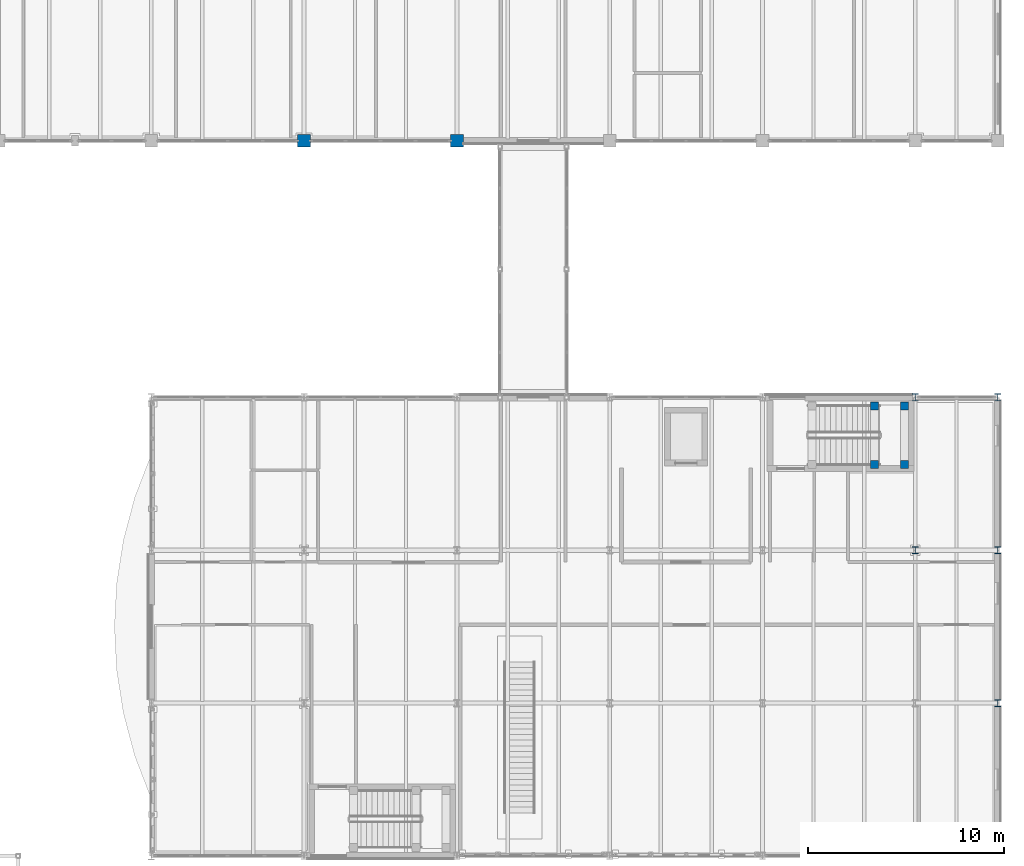
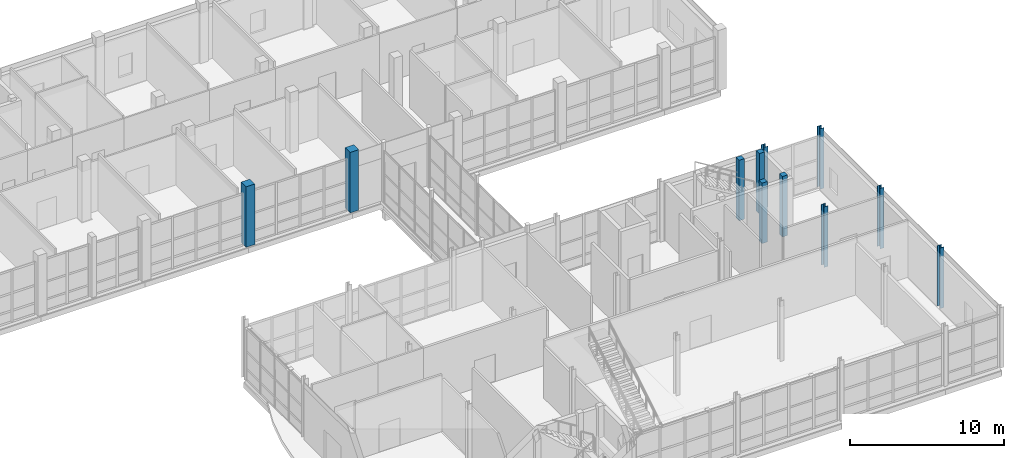
# One storey, part 22 of 131: 11 columns.
"""IFC4 building model written with IfcOpenShell, lengths in metres."""

from ifc_helpers import new_model, si_unit, direction, frame, origin, origin_2d, place, context, subcontext, project, spatial, rectangle, i_section, extrude, material, material_profile, profile_set, type_object, element, save


model = new_model("IFC4")

# Units and contexts
model_context = context("Model", 3, precision=1e-05, world=origin(), true_north=direction((0.0, 1.0)))
body_context = subcontext(model_context, "Body", "Model", "MODEL_VIEW")
ifc_project = project(units=[si_unit("LENGTHUNIT", "METRE"), si_unit("AREAUNIT", "SQUARE_METRE"), si_unit("VOLUMEUNIT", "CUBIC_METRE"), si_unit("PLANEANGLEUNIT", "RADIAN"), si_unit("MASSUNIT", "GRAM", prefix="KILO")], contexts=[model_context])

# Site, building, storey
site_placement = place(None, origin())
site = spatial("IfcSite", under=ifc_project, at=site_placement, CompositionType="ELEMENT")
building_placement = place(site_placement, origin())
building = spatial("IfcBuilding", under=site, at=building_placement, Name="Celorna Specialist Clinic", CompositionType="ELEMENT")
storey_placement = place(building_placement, origin())
storey = spatial("IfcBuildingStorey", under=building, at=storey_placement, Name="L00", CompositionType="ELEMENT", Elevation=0.0)

# Columns
ifc_material_1 = material(Name="Concrete C40/50", Category="concrete")
ifc_material_profile_1 = material_profile(ifc_material_1, rectangle(XDim=0.64990234375, YDim=0.64990234375, at=origin_2d()), Name="RC 650x650")
ifc_profile_set_1 = profile_set([ifc_material_profile_1], Name="Concrete C40/50")
column_type_1 = type_object("IfcColumnType", Name="CT-03", PredefinedType="COLUMN", material=ifc_profile_set_1)
for number, where, z_axis, x_axis, name in (
    (1, (132.60009765625, 96.5, 0.0), (0.0, 0.0, 1.0), (1.0, 0.0, 0.0), "Column CT-03 L00 X18/YR"),
    (2, (140.39990234375, 96.5, 0.0), (0.0, 0.0, 1.0), (1.0, 0.0, 0.0), "Column CT-03 L00 X19/YR"),
):
    element("IfcColumn", number, at=place(storey_placement, frame(where, z_axis=z_axis, x_axis=x_axis)), inside=storey, type_object=column_type_1, Name=name, PredefinedType="COLUMN", context=body_context, shape_type="SweptSolid", body=[
        extrude(rectangle(XDim=0.64990234375, YDim=0.64990234375, at=origin_2d()), origin(), (0.0, 0.0, 1.0), 4.800048828125),
    ])
ifc_material_2 = material(Name="Concrete C35/45", Category="concrete")
ifc_material_profile_2 = material_profile(ifc_material_2, rectangle(XDim=0.39990234375, YDim=0.39990234375, at=origin_2d()), Name="RC 400x400")
ifc_profile_set_2 = profile_set([ifc_material_profile_2], Name="Concrete C35/45")
column_type_2 = type_object("IfcColumnType", Name="CT-08", PredefinedType="COLUMN", material=ifc_profile_set_2)
for number, where, z_axis, x_axis, name in (
    (3, (161.719970703125, 79.969970703125, 0.0), (0.0, 0.0, 1.0), (1.0, 0.0, 0.0), "Stair ST-12 landing column CT-08 L00 X22/YP"),
    (4, (161.719970703125, 82.969970703125, 0.0), (0.0, 0.0, 1.0), (1.0, 0.0, 0.0), "Stair ST-12 landing column CT-08 L00 X22/YQ"),
    (5, (163.239990234375, 79.969970703125, 0.0), (0.0, 0.0, 1.0), (1.0, 0.0, 0.0), "Stair ST-12 landing column CT-08 L00 X22/YP"),
    (6, (163.239990234375, 82.969970703125, 0.0), (0.0, 0.0, 1.0), (1.0, 0.0, 0.0), "Stair ST-12 landing column CT-08 L00 X22/YQ"),
):
    element("IfcColumn", number, at=place(storey_placement, frame(where, z_axis=z_axis, x_axis=x_axis)), inside=storey, type_object=column_type_2, Name=name, PredefinedType="COLUMN", context=body_context, shape_type="SweptSolid", body=[
        extrude(rectangle(XDim=0.39990234375, YDim=0.39990234375, at=origin_2d()), origin(), (0.0, 0.0, 1.0), 4.800048828125),
    ])
ifc_material_3 = material(Name="Steel S355", Category="steel")
ifc_material_profile_3 = material_profile(ifc_material_3, i_section(OverallWidth=0.300048828125, OverallDepth=0.360107421875, WebThickness=0.012451171875, FlangeThickness=0.0224609375, at=origin_2d()), Name="HE 360 B")
ifc_profile_set_3 = profile_set([ifc_material_profile_3], Name="Steel S355")
column_type_3 = type_object("IfcColumnType", Name="CT-13", PredefinedType="COLUMN", material=ifc_profile_set_3)
for number, where, z_axis, x_axis, name in (
    (7, (163.800048828125, 75.60009765625, 0.0), (0.0, 0.0, 1.0), (1.0, 0.0, 0.0), "Column CT-13 L00 X22/YP"),
    (8, (163.800048828125, 83.39990234375, 0.0), (0.0, 0.0, 1.0), (1.0, 0.0, 0.0), "Column CT-13 L00 X22/YQ"),
    (9, (168.0, 67.800048828125, 0.0), (0.0, 0.0, 1.0), (1.0, 0.0, 0.0), "Column CT-13 L00 X23/YN"),
    (10, (168.0, 75.60009765625, 0.0), (0.0, 0.0, 1.0), (1.0, 0.0, 0.0), "Column CT-13 L00 X23/YP"),
    (11, (168.0, 83.39990234375, 0.0), (0.0, 0.0, 1.0), (1.0, 0.0, 0.0), "Column CT-13 L00 X23/YQ"),
):
    element("IfcColumn", number, at=place(storey_placement, frame(where, z_axis=z_axis, x_axis=x_axis)), inside=storey, type_object=column_type_3, Name=name, PredefinedType="COLUMN", context=body_context, shape_type="SweptSolid", body=[
        extrude(i_section(OverallWidth=0.300048828125, OverallDepth=0.360107421875, WebThickness=0.012451171875, FlangeThickness=0.0224609375, at=origin_2d()), origin(), (0.0, 0.0, 1.0), 4.800048828125),
    ])

save(model, "model.ifc")
